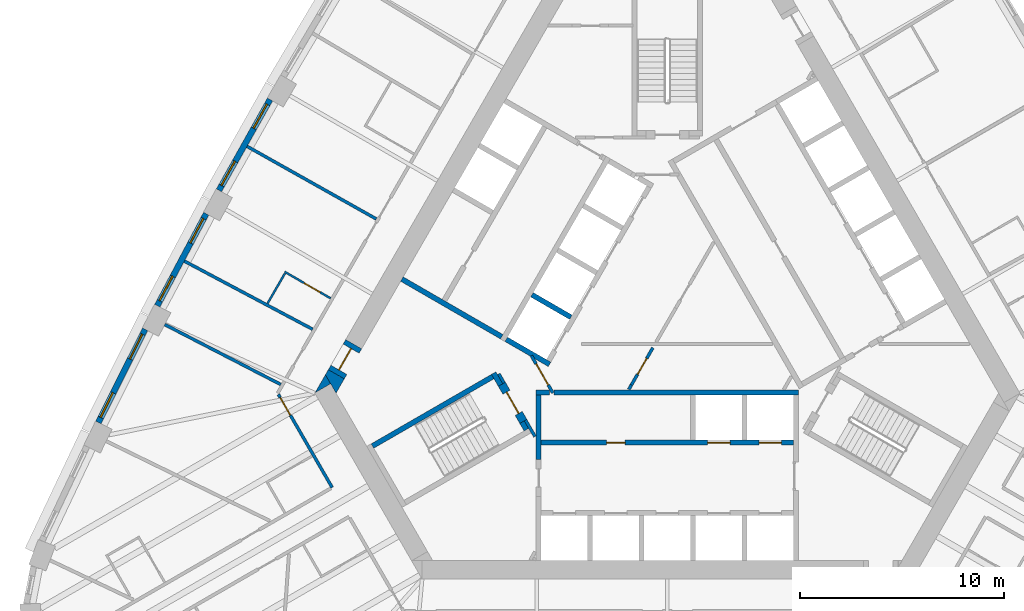
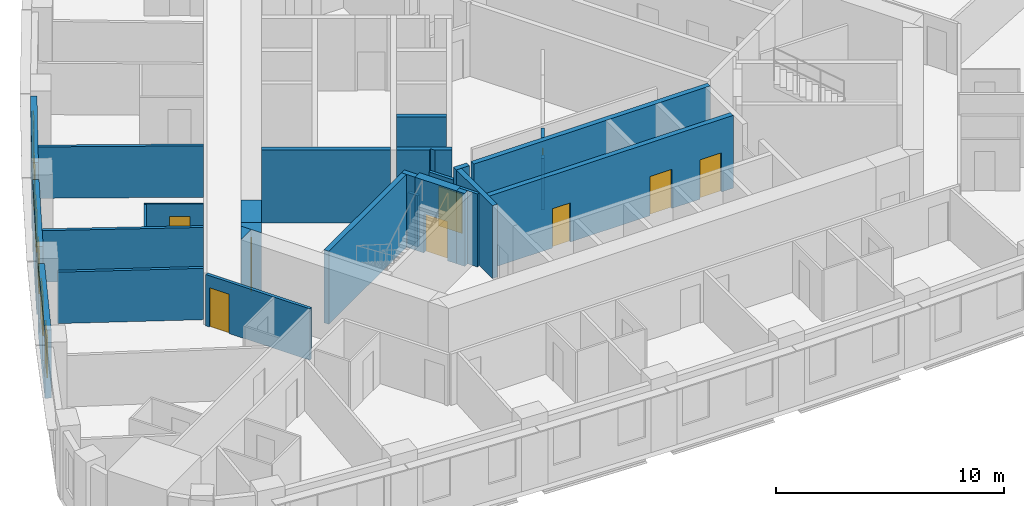
# One storey, part 5 of 13: 28 walls, 9 doors, 6 windows, 15 openings.
"""IFC4 building model written with IfcOpenShell, lengths in metres."""

import ifcopenshell
import ifcopenshell.guid

model = None  # the IFC model being written
_history = None  # IfcOwnerHistory: only IFC2X3 demands one
_inside = {}  # id of a spatial element -> (the spatial element, [elements in it])
_under = {}  # id of a project, library or spatial element -> (it, [spatial elements below it])
_declared = {}  # id of a project -> (the project, [libraries it declares])
_typed = {}  # id of a type object -> (the type object, [elements of that type])
_made_of = {}  # id of a material, layer set ... -> (it, [elements and type objects made of it])


def new_model(schema):
    """Start an empty IFC model of exactly this schema.

    Asked for "IFC4X3", IfcOpenShell would pick the latest addendum, in which some entities
    have other attributes; the version numbers below select the first issue.
    IFC2X3 requires an IfcOwnerHistory on every rooted entity: one is made here for all.
    """
    global model, _history
    if schema == "IFC4X3":
        model = ifcopenshell.file(schema_version=(4, 3, 0, 0))
    else:
        model = ifcopenshell.file(schema=schema)
    _inside.clear()
    _under.clear()
    _declared.clear()
    _typed.clear()
    _made_of.clear()
    _history = None
    if model.schema == "IFC2X3":
        org = make("IfcOrganization", Name="unknown")
        user = make(
            "IfcPersonAndOrganization",
            ThePerson=make("IfcPerson", FamilyName="unknown"),
            TheOrganization=org,
        )
        app = make(
            "IfcApplication",
            ApplicationDeveloper=org,
            Version="unknown",
            ApplicationFullName="unknown",
            ApplicationIdentifier="unknown",
        )
        _history = make(
            "IfcOwnerHistory",
            OwningUser=user,
            OwningApplication=app,
            ChangeAction="ADDED",
            CreationDate=0,
        )
    return model


def make(cls, **values):
    """One entity of the class cls with the attributes given. An attribute that is None is left unset."""
    return model.create_entity(
        cls, **{name: value for name, value in values.items() if value is not None}
    )


def rooted(cls, **values):
    """An entity with a GlobalId (a new one), such as an element, a storey or a relation."""
    return make(cls, GlobalId=ifcopenshell.guid.new(), OwnerHistory=_history, **values)


def si_unit(unit_type, name, prefix=None):
    """IfcSIUnit, for example si_unit("LENGTHUNIT", "METRE", prefix="MILLI")."""
    return make("IfcSIUnit", UnitType=unit_type, Prefix=prefix, Name=name)


def assignment(units):
    """IfcUnitAssignment: the units of a project."""
    return None if units is None else make("IfcUnitAssignment", Units=units)


def point(xyz):
    """IfcCartesianPoint."""
    return None if xyz is None else make("IfcCartesianPoint", Coordinates=xyz)


def direction(xyz):
    """IfcDirection."""
    return None if xyz is None else make("IfcDirection", DirectionRatios=xyz)


def frame(location, z_axis=None, x_axis=None):
    """IfcAxis2Placement3D, a coordinate frame: its origin and axes. An axis left out is left unset."""
    return make(
        "IfcAxis2Placement3D",
        Location=point(location),
        Axis=direction(z_axis),
        RefDirection=direction(x_axis),
    )


def frame_2d(location, x_axis=None):
    """IfcAxis2Placement2D, a coordinate frame in the plane: its origin and x axis."""
    return make(
        "IfcAxis2Placement2D", Location=point(location), RefDirection=direction(x_axis)
    )


def origin():
    """The frame at (0, 0, 0) with its axes left unset."""
    return frame((0.0, 0.0, 0.0))


def place(relative_to, where):
    """IfcLocalPlacement: puts the frame where relative to a parent placement (None: the world)."""
    return make(
        "IfcLocalPlacement", PlacementRelTo=relative_to, RelativePlacement=where
    )


def context(
    kind, dimensions, precision=None, world=None, true_north=None, identifier=None
):
    """IfcGeometricRepresentationContext, for example the 3D "Model" context."""
    return make(
        "IfcGeometricRepresentationContext",
        ContextIdentifier=identifier,
        ContextType=kind,
        CoordinateSpaceDimension=dimensions,
        Precision=precision,
        WorldCoordinateSystem=world,
        TrueNorth=true_north,
    )


def subcontext(parent, identifier, kind, view, scale=None):
    """IfcGeometricRepresentationSubContext, for example "Body" below "Model"."""
    return make(
        "IfcGeometricRepresentationSubContext",
        ContextIdentifier=identifier,
        ContextType=kind,
        ParentContext=parent,
        TargetScale=scale,
        TargetView=view,
    )


def project(units=None, contexts=None):
    """IfcProject with its units and contexts."""
    return rooted(
        "IfcProject",
        Name="project",
        RepresentationContexts=contexts,
        UnitsInContext=assignment(units),
    )


def spatial(cls, under=None, at=None, **own):
    """A site, building, storey or space (cls), placed at a placement, below another one or the project."""
    s = rooted(cls, ObjectPlacement=at, **own)
    if under is not None:
        _under.setdefault(under.id(), (under, []))[1].append(s)
    return s


def polyline(points):
    """IfcPolyline through the points."""
    return make("IfcPolyline", Points=[point(p) for p in points])


def profile(cls, at=None, kind="AREA", **sizes):
    """A parametric profile (cls). Its sizes go by their IFC names, for example OverallWidth=200.0."""
    return make(cls, ProfileType=kind, Position=at, **sizes)


def rectangle(**sizes):
    """IfcRectangleProfileDef."""
    return profile("IfcRectangleProfileDef", **sizes)


def outline(outer, holes=None, kind="AREA"):
    """IfcArbitraryClosedProfileDef: a profile drawn as a closed curve; with holes, ...WithVoids."""
    if holes is None:
        return make("IfcArbitraryClosedProfileDef", ProfileType=kind, OuterCurve=outer)
    return make(
        "IfcArbitraryProfileDefWithVoids",
        ProfileType=kind,
        OuterCurve=outer,
        InnerCurves=holes,
    )


def extrude(swept, where, along, depth):
    """IfcExtrudedAreaSolid: the profile swept, set in the frame where, extruded along a direction by depth."""
    return make(
        "IfcExtrudedAreaSolid",
        SweptArea=swept,
        Position=where,
        ExtrudedDirection=direction(along),
        Depth=depth,
    )


def shape(context_of_items, identifier, shape_type, items):
    """IfcShapeRepresentation: the items that make up one representation, for example the "Body"."""
    return make(
        "IfcShapeRepresentation",
        ContextOfItems=context_of_items,
        RepresentationIdentifier=identifier,
        RepresentationType=shape_type,
        Items=items,
    )


def material(Name=None, Category=None):
    """IfcMaterial."""
    return make("IfcMaterial", Name=Name, Category=Category)


def layer(
    of_material, thickness, ventilated=None, Name=None, Category=None, Priority=None
):
    """IfcMaterialLayer: one layer of a wall or slab, of a material (None: an air gap)."""
    return make(
        "IfcMaterialLayer",
        Material=of_material,
        LayerThickness=thickness,
        IsVentilated=ventilated,
        Name=Name,
        Category=Category,
        Priority=Priority,
    )


def layer_set(layers, Name=None):
    """IfcMaterialLayerSet."""
    return make("IfcMaterialLayerSet", MaterialLayers=layers, LayerSetName=Name)


def made_of(thing, what):
    """Note that an element or type object is made of a material, layer set ...; save() writes the relation."""
    if what is not None:
        _made_of.setdefault(what.id(), (what, []))[1].append(thing)
    return thing


def type_object(cls, material=None, **own):
    """A type object (cls), such as IfcWallType, which elements share."""
    return made_of(rooted(cls, **own), material)


def element(
    cls,
    number,
    at=None,
    inside=None,
    cuts=None,
    type_object=None,
    material=None,
    context=None,
    identifier="Body",
    shape_type=None,
    held_by="IfcProductDefinitionShape",
    body=None,
    shapes=None,
    **own,
):
    """One element of the class cls, such as IfcWall. Its Tag is "e" and its number.

    at: its placement. inside: the storey or other place that contains it. cuts: it is an
    opening in that element (IfcRelVoidsElement). A single representation is given by context,
    identifier, shape_type and body (its items); several are given by shapes. held_by: the class
    of the entity that holds the representations. save() writes the other relations.
    """
    e = rooted(cls, Tag="e%d" % number, ObjectPlacement=at, **own)
    if body is not None:
        shapes = [shape(context, identifier, shape_type, body)]
    if shapes is not None:
        e.Representation = make(held_by, Representations=shapes)
    if inside is not None:
        _inside.setdefault(inside.id(), (inside, []))[1].append(e)
    if cuts is not None:
        rooted(
            "IfcRelVoidsElement", RelatingBuildingElement=cuts, RelatedOpeningElement=e
        )
    if type_object is not None:
        _typed.setdefault(type_object.id(), (type_object, []))[1].append(e)
    return made_of(e, material)


def fill(opening, filler):
    """IfcRelFillsElement: the door or window that sits in an opening."""
    return rooted(
        "IfcRelFillsElement",
        RelatingOpeningElement=opening,
        RelatedBuildingElement=filler,
    )


def aggregate(whole, parts):
    """IfcRelAggregates: a whole, such as a stair, and the parts it consists of."""
    return rooted("IfcRelAggregates", RelatingObject=whole, RelatedObjects=parts)


def save(model, path):
    """Write the relations noted so far, then the file.

    IfcRelAggregates (storeys below a building ...), IfcRelContainedInSpatialStructure (elements
    in a storey), IfcRelDefinesByType, IfcRelAssociatesMaterial and IfcRelDeclares: one each for
    every whole, place, type object, material and project.
    """
    for whole, parts in _under.values():
        aggregate(whole, parts)
    for where, things in _inside.values():
        rooted(
            "IfcRelContainedInSpatialStructure",
            RelatedElements=things,
            RelatingStructure=where,
        )
    for kind, things in _typed.values():
        rooted("IfcRelDefinesByType", RelatedObjects=things, RelatingType=kind)
    for what, things in _made_of.values():
        rooted("IfcRelAssociatesMaterial", RelatedObjects=things, RelatingMaterial=what)
    for by, libraries in _declared.values():
        rooted("IfcRelDeclares", RelatingContext=by, RelatedDefinitions=libraries)
    model.write(path)


model = new_model("IFC4")

# Units and contexts
model_context = context("Model", 3, precision=1e-05, world=origin(), true_north=direction((0.0, 1.0)))
body_context = subcontext(model_context, "Body", "Model", "MODEL_VIEW")
ifc_project = project(units=[si_unit("LENGTHUNIT", "METRE"), si_unit("AREAUNIT", "SQUARE_METRE"), si_unit("VOLUMEUNIT", "CUBIC_METRE"), si_unit("PLANEANGLEUNIT", "RADIAN"), si_unit("MASSUNIT", "GRAM", prefix="KILO")], contexts=[model_context])

# Site, building, storey
site_placement = place(None, origin())
site = spatial("IfcSite", under=ifc_project, at=site_placement, CompositionType="ELEMENT")
building_placement = place(site_placement, origin())
building = spatial("IfcBuilding", under=site, at=building_placement, Name="Mestral Congress Tower", CompositionType="ELEMENT")
storey_placement = place(building_placement, frame((0.0, 0.0, 95.39990234375)))
storey = spatial("IfcBuildingStorey", under=building, at=storey_placement, Name="L22", CompositionType="ELEMENT", Elevation=95.39990234375)

# Walls
ifc_material_1 = material(Name="Fire-rated board partition")
ifc_layer_1 = layer(ifc_material_1, 0.14990234375)
ifc_layer_set_1 = layer_set([ifc_layer_1], Name="Fire-rated board partition")
wall_type_1 = type_object("IfcWallType", Name="Core partition 150", PredefinedType="PARTITIONING", material=ifc_layer_set_1)
wall_1_placement = place(storey_placement, frame((-1.886962890625, -3.71826171875, 0.0), z_axis=(0.0, 0.0, 1.0), x_axis=(0.500165633897, 0.865929753888, 0.0)))
element("IfcWall", 1, at=wall_1_placement, inside=storey, type_object=wall_type_1, Name="L22 core wall", PredefinedType="PARTITIONING", context=body_context, shape_type="SweptSolid", body=[
    extrude(rectangle(XDim=0.25439453125, YDim=0.14990234375, at=frame_2d((0.127197265625, 0.0))), origin(), (0.0, 0.0, 1.0), 2.75),
])
wall_2_placement = place(storey_placement, frame((-8.251953125, -2.958251953125, 0.0), z_axis=(0.0, 0.0, 1.0), x_axis=(0.500174715838, -0.865924508047, 0.0)))
element("IfcWall", 2, at=wall_2_placement, inside=storey, type_object=wall_type_1, Name="L22 core wall", PredefinedType="PARTITIONING", context=body_context, shape_type="SweptSolid", body=[
    extrude(rectangle(XDim=0.513916015625, YDim=0.14990234375, at=frame_2d((0.2568359375, 0.0))), origin(), (0.0, 0.0, 1.0), 2.75),
])

# Wall, opening, door
wall_3_placement = place(storey_placement, frame((-1.759765625, -3.498046875, 0.0), z_axis=(0.0, 0.0, 1.0), x_axis=(0.499977374825, 0.866038466041, 0.0)))
wall_3 = element("IfcWall", 3, at=wall_3_placement, inside=storey, type_object=wall_type_1, Name="L22 door wall", PredefinedType="PARTITIONING", context=body_context, shape_type="SweptSolid", body=[
    extrude(rectangle(XDim=2.10009765625, YDim=0.14990234375, at=frame_2d((1.050048828125, 0.0))), origin(), (0.0, 0.0, 1.0), 2.75),
])
opening_1_placement = place(wall_3_placement, frame((0.60009765625, 0.0, 0.0)))
opening_1 = element("IfcOpeningElement", 4, at=opening_1_placement, cuts=wall_3, Name="Opening CD1-HUB0", PredefinedType="OPENING", context=body_context, shape_type="SweptSolid", body=[
    extrude(rectangle(XDim=0.89990234375, YDim=2.10009765625, at=frame_2d((0.449951171875, 1.050048828125))), frame((0.0, 0.0849609375, 0.0), z_axis=(0.0, -1.0, 0.0), x_axis=(1.0, 0.0, 0.0)), (0.0, 0.0, 1.0), 0.169921875),
])
ifc_material_2 = material(Name="Fire-rated steel door set", Category="steel")
door_type_1 = type_object("IfcDoorType", Name="Core door CD 900x2100", OperationType="SINGLE_SWING_LEFT", PredefinedType="DOOR", material=ifc_material_2)
door_1_placement = place(opening_1_placement, origin())
door_1 = element("IfcDoor", 5, at=door_1_placement, inside=storey, type_object=door_type_1, Name="Door CD1-HUB0", OperationType="SINGLE_SWING_LEFT", OverallHeight=2.10009765625, OverallWidth=0.89990234375, PredefinedType="DOOR", context=body_context, shape_type="SweptSolid", body=[
    extrude(rectangle(XDim=0.89990234375, YDim=2.10009765625, at=frame_2d((0.449951171875, 1.050048828125))), frame((0.0, 0.02490234375, 0.0), z_axis=(0.0, -1.0, 0.0), x_axis=(1.0, 0.0, 0.0)), (0.0, 0.0, 1.0), 0.050048828125),
])
fill(opening_1, door_1)

wall_4_placement = place(storey_placement, frame((-5.606201171875, -3.8896484375, 0.0), z_axis=(0.0, 0.0, 1.0), x_axis=(-0.500027713859, 0.866009402589, 0.0)))
wall_4 = element("IfcWall", 6, at=wall_4_placement, inside=storey, type_object=wall_type_1, Name="L22 door wall", PredefinedType="PARTITIONING", context=body_context, shape_type="SweptSolid", body=[
    extrude(rectangle(XDim=2.10009765625, YDim=0.14990234375, at=frame_2d((1.050048828125, 0.0))), origin(), (0.0, 0.0, 1.0), 2.75),
])
opening_2_placement = place(wall_4_placement, frame((0.449951171875, 0.0, 0.0)))
opening_2 = element("IfcOpeningElement", 7, at=opening_2_placement, cuts=wall_4, Name="Opening CD3-FF", PredefinedType="OPENING", context=body_context, shape_type="SweptSolid", body=[
    extrude(rectangle(XDim=1.199951171875, YDim=2.10009765625, at=frame_2d((0.60009765625, 1.050048828125))), frame((0.0, 0.0849609375, 0.0), z_axis=(0.0, -1.0, 0.0), x_axis=(1.0, 0.0, 0.0)), (0.0, 0.0, 1.0), 0.169921875),
])
door_type_2 = type_object("IfcDoorType", Name="Core door CD 1200x2100", OperationType="SINGLE_SWING_LEFT", PredefinedType="DOOR", material=ifc_material_2)
door_2_placement = place(opening_2_placement, origin())
door_2 = element("IfcDoor", 8, at=door_2_placement, inside=storey, type_object=door_type_2, Name="Door CD3-FF", OperationType="SINGLE_SWING_LEFT", OverallHeight=2.10009765625, OverallWidth=1.199951171875, PredefinedType="DOOR", context=body_context, shape_type="SweptSolid", body=[
    extrude(rectangle(XDim=1.199951171875, YDim=2.10009765625, at=frame_2d((0.60009765625, 1.050048828125))), frame((0.0, 0.02490234375, 0.0), z_axis=(0.0, -1.0, 0.0), x_axis=(1.0, 0.0, 0.0)), (0.0, 0.0, 1.0), 0.050048828125),
])
fill(opening_2, door_2)

# Walls
ifc_material_3 = material(Name="Concrete C60/75", Category="concrete")
ifc_layer_2 = layer(ifc_material_3, 0.89990234375)
ifc_layer_set_2 = layer_set([ifc_layer_2], Name="Concrete C60/75")
wall_type_2 = type_object("IfcWallType", Name="Core wall RC 900", PredefinedType="SOLIDWALL", material=ifc_layer_set_2)
placement = place(storey_placement, origin())
element("IfcWall", 9, at=placement, inside=storey, type_object=wall_type_2, Name="L22 core wall", PredefinedType="SOLIDWALL", context=body_context, shape_type="SweptSolid", body=[
    extrude(outline(polyline([(-16.4892578125, -3.43994140625), (-17.251220703125, -3.8798828125), (-16.7431640625, -3.0), (-16.4892578125, -3.43994140625)])), origin(), (0.0, 0.0, 1.0), 3.900146484375),
])
element("IfcWall", 10, at=placement, inside=storey, type_object=wall_type_2, Name="L22 core wall", PredefinedType="SOLIDWALL", context=body_context, shape_type="SweptSolid", body=[
    extrude(outline(polyline([(-15.81982421875, -3.20068359375), (-16.223388671875, -3.89990234375), (-16.7431640625, -3.0), (-16.599365234375, -2.750732421875), (-15.81982421875, -3.20068359375)])), origin(), (0.0, 0.0, 1.0), 3.900146484375),
])

# Wall, opening, door
wall_7_placement = place(storey_placement, frame((-16.20947265625, -2.9755859375, 0.0), z_axis=(0.0, 0.0, 1.0), x_axis=(0.499954529098, 0.86605165483, 0.0)))
wall_7 = element("IfcWall", 11, at=wall_7_placement, inside=storey, type_object=wall_type_2, Name="L22 door wall", PredefinedType="SOLIDWALL", context=body_context, shape_type="SweptSolid", body=[
    extrude(rectangle(XDim=1.699951171875, YDim=0.89990234375, at=frame_2d((0.85009765625, 0.0))), origin(), (0.0, 0.0, 1.0), 3.900146484375),
])
opening_3_placement = place(wall_7_placement, frame((0.25, 0.0, 0.0)))
opening_3 = element("IfcOpeningElement", 12, at=opening_3_placement, cuts=wall_7, Name="Opening XD3", PredefinedType="OPENING", context=body_context, shape_type="SweptSolid", body=[
    extrude(rectangle(XDim=1.199951171875, YDim=2.10009765625, at=frame_2d((0.60009765625, 1.050048828125))), frame((0.0, 0.4599609375, 0.0), z_axis=(0.0, -1.0, 0.0), x_axis=(1.0, 0.0, 0.0)), (0.0, 0.0, 1.0), 0.919921875),
])
door_type_3 = type_object("IfcDoorType", Name="Core door XD 1200x2100", OperationType="SINGLE_SWING_LEFT", PredefinedType="DOOR", material=ifc_material_2)
door_3_placement = place(opening_3_placement, origin())
door_3 = element("IfcDoor", 13, at=door_3_placement, inside=storey, type_object=door_type_3, Name="Door XD3", OperationType="SINGLE_SWING_LEFT", OverallHeight=2.10009765625, OverallWidth=1.199951171875, PredefinedType="DOOR", context=body_context, shape_type="SweptSolid", body=[
    extrude(rectangle(XDim=1.199951171875, YDim=2.10009765625, at=frame_2d((0.60009765625, 1.050048828125))), frame((0.0, 0.02490234375, 0.0), z_axis=(0.0, -1.0, 0.0), x_axis=(1.0, 0.0, 0.0)), (0.0, 0.0, 1.0), 0.050048828125),
])
fill(opening_3, door_3)

# Wall, openings, windows
ifc_material_4 = material(Name="Precast concrete C40/50 with limestone facing", Category="masonry")
ifc_layer_3 = layer(ifc_material_4, 0.2900390625)
ifc_layer_set_3 = layer_set([ifc_layer_3], Name="Precast concrete C40/50 with limestone facing")
wall_type_3 = type_object("IfcWallType", Name="Facade stone wall 290", PredefinedType="SOLIDWALL", material=ifc_layer_set_3)
wall_8_placement = place(storey_placement, frame((-19.4580078125, 10.479736328125, 0.0), z_axis=(0.0, 0.0, 1.0), x_axis=(-0.48983164787, -0.87181704316, 0.0)))
wall_8 = element("IfcWall", 14, at=wall_8_placement, inside=storey, type_object=wall_type_3, Name="Facade wall F2-04", PredefinedType="SOLIDWALL", context=body_context, shape_type="SweptSolid", body=[
    extrude(rectangle(XDim=5.100341796875, YDim=0.2900390625, at=frame_2d((2.55029296875, 0.0))), origin(), (0.0, 0.0, 1.0), 3.650146484375),
])
opening_4_placement = place(wall_8_placement, frame((0.2724609375, 0.0, 0.89990234375)))
opening_4 = element("IfcOpeningElement", 15, at=opening_4_placement, cuts=wall_8, Name="Opening W2", PredefinedType="OPENING", context=body_context, shape_type="SweptSolid", body=[
    extrude(rectangle(XDim=1.35009765625, YDim=2.14990234375, at=frame_2d((0.675048828125, 1.074951171875))), frame((0.0, 0.155029296875, 0.0), z_axis=(0.0, -1.0, 0.0), x_axis=(1.0, 0.0, 0.0)), (0.0, 0.0, 1.0), 0.31005859375),
])
opening_5_placement = place(wall_8_placement, frame((3.477783203125, 0.0, 0.89990234375)))
opening_5 = element("IfcOpeningElement", 16, at=opening_5_placement, cuts=wall_8, Name="Opening W2", PredefinedType="OPENING", context=body_context, shape_type="SweptSolid", body=[
    extrude(rectangle(XDim=1.35009765625, YDim=2.14990234375, at=frame_2d((0.675048828125, 1.074951171875))), frame((0.0, 0.155029296875, 0.0), z_axis=(0.0, -1.0, 0.0), x_axis=(1.0, 0.0, 0.0)), (0.0, 0.0, 1.0), 0.31005859375),
])
ifc_material_5 = material(Name="Clear low-emissivity double glazing", Category="glass")
window_type = type_object("IfcWindowType", Name="Facade punched window 1350 x 2150 sill 900", PartitioningType="DOUBLE_PANEL_VERTICAL", PredefinedType="WINDOW", material=ifc_material_5)
window_1_placement = place(opening_4_placement, origin())
window_1 = element("IfcWindow", 17, at=window_1_placement, inside=storey, type_object=window_type, Name="Window F2-04a", OverallHeight=2.14990234375, OverallWidth=1.35009765625, PartitioningType="DOUBLE_PANEL_VERTICAL", PredefinedType="WINDOW", context=body_context, shape_type="SweptSolid", body=[
    extrude(rectangle(XDim=1.35009765625, YDim=2.14990234375, at=frame_2d((0.675048828125, 1.074951171875))), frame((0.0, 0.01513671875, 0.0), z_axis=(0.0, -1.0, 0.0), x_axis=(1.0, 0.0, 0.0)), (0.0, 0.0, 1.0), 0.06005859375),
])
fill(opening_4, window_1)
window_2_placement = place(opening_5_placement, origin())
window_2 = element("IfcWindow", 18, at=window_2_placement, inside=storey, type_object=window_type, Name="Window F2-04b", OverallHeight=2.14990234375, OverallWidth=1.35009765625, PartitioningType="DOUBLE_PANEL_VERTICAL", PredefinedType="WINDOW", context=body_context, shape_type="SweptSolid", body=[
    extrude(rectangle(XDim=1.35009765625, YDim=2.14990234375, at=frame_2d((0.675048828125, 1.074951171875))), frame((0.0, 0.01513671875, 0.0), z_axis=(0.0, -1.0, 0.0), x_axis=(1.0, 0.0, 0.0)), (0.0, 0.0, 1.0), 0.06005859375),
])
fill(opening_5, window_2)

wall_9_placement = place(storey_placement, frame((-22.5830078125, 4.88671875, 0.0), z_axis=(0.0, 0.0, 1.0), x_axis=(-0.469323203119, -0.883026461106, 0.0)))
wall_9 = element("IfcWall", 19, at=wall_9_placement, inside=storey, type_object=wall_type_3, Name="Facade wall F2-05", PredefinedType="SOLIDWALL", context=body_context, shape_type="SweptSolid", body=[
    extrude(rectangle(XDim=5.1005859375, YDim=0.2900390625, at=frame_2d((2.55029296875, 0.0))), origin(), (0.0, 0.0, 1.0), 3.650146484375),
])
opening_6_placement = place(wall_9_placement, frame((0.272705078125, 0.0, 0.89990234375)))
opening_6 = element("IfcOpeningElement", 20, at=opening_6_placement, cuts=wall_9, Name="Opening W2", PredefinedType="OPENING", context=body_context, shape_type="SweptSolid", body=[
    extrude(rectangle(XDim=1.35009765625, YDim=2.14990234375, at=frame_2d((0.675048828125, 1.074951171875))), frame((0.0, 0.155029296875, 0.0), z_axis=(0.0, -1.0, 0.0), x_axis=(1.0, 0.0, 0.0)), (0.0, 0.0, 1.0), 0.31005859375),
])
opening_7_placement = place(wall_9_placement, frame((3.477783203125, 0.0, 0.89990234375)))
opening_7 = element("IfcOpeningElement", 21, at=opening_7_placement, cuts=wall_9, Name="Opening W2", PredefinedType="OPENING", context=body_context, shape_type="SweptSolid", body=[
    extrude(rectangle(XDim=1.35009765625, YDim=2.14990234375, at=frame_2d((0.675048828125, 1.074951171875))), frame((0.0, 0.155029296875, 0.0), z_axis=(0.0, -1.0, 0.0), x_axis=(1.0, 0.0, 0.0)), (0.0, 0.0, 1.0), 0.31005859375),
])
window_3_placement = place(opening_6_placement, origin())
window_3 = element("IfcWindow", 22, at=window_3_placement, inside=storey, type_object=window_type, Name="Window F2-05a", OverallHeight=2.14990234375, OverallWidth=1.35009765625, PartitioningType="DOUBLE_PANEL_VERTICAL", PredefinedType="WINDOW", context=body_context, shape_type="SweptSolid", body=[
    extrude(rectangle(XDim=1.35009765625, YDim=2.14990234375, at=frame_2d((0.675048828125, 1.074951171875))), frame((0.0, 0.01513671875, 0.0), z_axis=(0.0, -1.0, 0.0), x_axis=(1.0, 0.0, 0.0)), (0.0, 0.0, 1.0), 0.06005859375),
])
fill(opening_6, window_3)
window_4_placement = place(opening_7_placement, origin())
window_4 = element("IfcWindow", 23, at=window_4_placement, inside=storey, type_object=window_type, Name="Window F2-05b", OverallHeight=2.14990234375, OverallWidth=1.35009765625, PartitioningType="DOUBLE_PANEL_VERTICAL", PredefinedType="WINDOW", context=body_context, shape_type="SweptSolid", body=[
    extrude(rectangle(XDim=1.35009765625, YDim=2.14990234375, at=frame_2d((0.675048828125, 1.074951171875))), frame((0.0, 0.01513671875, 0.0), z_axis=(0.0, -1.0, 0.0), x_axis=(1.0, 0.0, 0.0)), (0.0, 0.0, 1.0), 0.06005859375),
])
fill(opening_7, window_4)

wall_10_placement = place(storey_placement, frame((-25.576416015625, -0.77783203125, 0.0), z_axis=(0.0, 0.0, 1.0), x_axis=(-0.448534297211, -0.893765620409, 0.0)))
wall_10 = element("IfcWall", 24, at=wall_10_placement, inside=storey, type_object=wall_type_3, Name="Facade wall F2-06", PredefinedType="SOLIDWALL", context=body_context, shape_type="SweptSolid", body=[
    extrude(rectangle(XDim=5.10009765625, YDim=0.2900390625, at=frame_2d((2.550048828125, 0.0))), origin(), (0.0, 0.0, 1.0), 3.650146484375),
])
opening_8_placement = place(wall_10_placement, frame((0.2724609375, 0.0, 0.89990234375)))
opening_8 = element("IfcOpeningElement", 25, at=opening_8_placement, cuts=wall_10, Name="Opening W2", PredefinedType="OPENING", context=body_context, shape_type="SweptSolid", body=[
    extrude(rectangle(XDim=1.35009765625, YDim=2.14990234375, at=frame_2d((0.675048828125, 1.074951171875))), frame((0.0, 0.155029296875, 0.0), z_axis=(0.0, -1.0, 0.0), x_axis=(1.0, 0.0, 0.0)), (0.0, 0.0, 1.0), 0.31005859375),
])
opening_9_placement = place(wall_10_placement, frame((3.477783203125, 0.0, 0.89990234375)))
opening_9 = element("IfcOpeningElement", 26, at=opening_9_placement, cuts=wall_10, Name="Opening W2", PredefinedType="OPENING", context=body_context, shape_type="SweptSolid", body=[
    extrude(rectangle(XDim=1.35009765625, YDim=2.14990234375, at=frame_2d((0.675048828125, 1.074951171875))), frame((0.0, 0.155029296875, 0.0), z_axis=(0.0, -1.0, 0.0), x_axis=(1.0, 0.0, 0.0)), (0.0, 0.0, 1.0), 0.31005859375),
])
window_5_placement = place(opening_8_placement, origin())
window_5 = element("IfcWindow", 27, at=window_5_placement, inside=storey, type_object=window_type, Name="Window F2-06a", OverallHeight=2.14990234375, OverallWidth=1.35009765625, PartitioningType="DOUBLE_PANEL_VERTICAL", PredefinedType="WINDOW", context=body_context, shape_type="SweptSolid", body=[
    extrude(rectangle(XDim=1.35009765625, YDim=2.14990234375, at=frame_2d((0.675048828125, 1.074951171875))), frame((0.0, 0.01513671875, 0.0), z_axis=(0.0, -1.0, 0.0), x_axis=(1.0, 0.0, 0.0)), (0.0, 0.0, 1.0), 0.06005859375),
])
fill(opening_8, window_5)
window_6_placement = place(opening_9_placement, origin())
window_6 = element("IfcWindow", 28, at=window_6_placement, inside=storey, type_object=window_type, Name="Window F2-06b", OverallHeight=2.14990234375, OverallWidth=1.35009765625, PartitioningType="DOUBLE_PANEL_VERTICAL", PredefinedType="WINDOW", context=body_context, shape_type="SweptSolid", body=[
    extrude(rectangle(XDim=1.35009765625, YDim=2.14990234375, at=frame_2d((0.675048828125, 1.074951171875))), frame((0.0, 0.01513671875, 0.0), z_axis=(0.0, -1.0, 0.0), x_axis=(1.0, 0.0, 0.0)), (0.0, 0.0, 1.0), 0.06005859375),
])
fill(opening_9, window_6)

# Wall, opening, door
ifc_material_6 = material(Name="Gypsum board partition on metal studs with mineral wool", Category="composite")
ifc_layer_4 = layer(ifc_material_6, 0.10009765625)
ifc_layer_set_4 = layer_set([ifc_layer_4], Name="Gypsum board partition on metal studs with mineral wool")
wall_type_4 = type_object("IfcWallType", Name="Hotel partition wall 100", PredefinedType="PARTITIONING", material=ifc_layer_set_4)
wall_11_placement = place(storey_placement, frame((-16.4873046875, 0.742919921875, 0.0), z_axis=(0.0, 0.0, 1.0), x_axis=(-0.866021400173, 0.500006934395, 0.0)))
wall_11 = element("IfcWall", 29, at=wall_11_placement, inside=storey, type_object=wall_type_4, Name="L22-h-pod23a", PredefinedType="PARTITIONING", context=body_context, shape_type="SweptSolid", body=[
    extrude(rectangle(XDim=2.60009765625, YDim=0.10009765625, at=frame_2d((1.300048828125, 0.0))), origin(), (0.0, 0.0, 1.0), 2.75),
])
opening_10_placement = place(wall_11_placement, frame((0.60009765625, 0.0, 0.0)))
opening_10 = element("IfcOpeningElement", 30, at=opening_10_placement, cuts=wall_11, Name="Opening H07-044", PredefinedType="OPENING", context=body_context, shape_type="SweptSolid", body=[
    extrude(rectangle(XDim=0.89990234375, YDim=2.10009765625, at=frame_2d((0.449951171875, 1.050048828125))), frame((0.0, 0.06005859375, 0.0), z_axis=(0.0, -1.0, 0.0), x_axis=(1.0, 0.0, 0.0)), (0.0, 0.0, 1.0), 0.1201171875),
])
ifc_material_7 = material(Name="Timber veneer door leaf in timber frame", Category="wood")
door_type_4 = type_object("IfcDoorType", Name="Bathroom door 900", OperationType="SINGLE_SWING_LEFT", PredefinedType="DOOR", material=ifc_material_7)
door_4_placement = place(opening_10_placement, origin())
door_4 = element("IfcDoor", 31, at=door_4_placement, inside=storey, type_object=door_type_4, Name="L22-h-d044", OperationType="SINGLE_SWING_LEFT", OverallHeight=2.10009765625, OverallWidth=0.89990234375, PredefinedType="DOOR", context=body_context, shape_type="SweptSolid", body=[
    extrude(rectangle(XDim=0.89990234375, YDim=2.10009765625, at=frame_2d((0.449951171875, 1.050048828125))), frame((0.0, 0.02490234375, 0.0), z_axis=(0.0, -1.0, 0.0), x_axis=(1.0, 0.0, 0.0)), (0.0, 0.0, 1.0), 0.050048828125),
])
fill(opening_10, door_4)

# Wall
wall_12_placement = place(storey_placement, frame((-18.725830078125, 1.966064453125, 0.0), z_axis=(0.0, 0.0, 1.0), x_axis=(-0.499954529098, -0.86605165483, 0.0)))
element("IfcWall", 32, at=wall_12_placement, inside=storey, type_object=wall_type_4, Name="L22-h-pod23b", PredefinedType="PARTITIONING", context=body_context, shape_type="SweptSolid", body=[
    extrude(rectangle(XDim=1.699951171875, YDim=0.10009765625, at=frame_2d((0.85009765625, 0.0))), origin(), (0.0, 0.0, 1.0), 2.75),
])

# Wall, opening, door
ifc_layer_5 = layer(ifc_material_6, 0.14990234375)
ifc_layer_set_5 = layer_set([ifc_layer_5], Name="Gypsum board partition on metal studs with mineral wool")
wall_type_5 = type_object("IfcWallType", Name="Hotel partition wall 150", PredefinedType="PARTITIONING", material=ifc_layer_set_5)
wall_13_placement = place(storey_placement, frame((-16.412353515625, -8.52294921875, 0.0), z_axis=(0.0, 0.0, 1.0), x_axis=(-0.500001929737, 0.866024289647, 0.0)))
wall_13 = element("IfcWall", 33, at=wall_13_placement, inside=storey, type_object=wall_type_5, Name="L22-h-cw09", PredefinedType="PARTITIONING", context=body_context, shape_type="SweptSolid", body=[
    extrude(rectangle(XDim=5.26806640625, YDim=0.14990234375, at=frame_2d((2.634033203125, 0.0))), origin(), (0.0, 0.0, 1.0), 2.75),
])
opening_11_placement = place(wall_13_placement, frame((4.088134765625, 0.0, 0.0)))
opening_11 = element("IfcOpeningElement", 34, at=opening_11_placement, cuts=wall_13, Name="Opening H07-046", PredefinedType="OPENING", context=body_context, shape_type="SweptSolid", body=[
    extrude(rectangle(XDim=1.0, YDim=2.10009765625, at=frame_2d((0.5, 1.050048828125))), frame((0.0, 0.0849609375, 0.0), z_axis=(0.0, -1.0, 0.0), x_axis=(1.0, 0.0, 0.0)), (0.0, 0.0, 1.0), 0.169921875),
])
ifc_material_8 = material(Name="Timber veneer door leaf in metal frame", Category="wood")
door_type_5 = type_object("IfcDoorType", Name="Guest room entrance door 1000", OperationType="SINGLE_SWING_LEFT", PredefinedType="DOOR", material=ifc_material_8)
door_5_placement = place(opening_11_placement, origin())
door_5 = element("IfcDoor", 35, at=door_5_placement, inside=storey, type_object=door_type_5, Name="L22-h-d046", OperationType="SINGLE_SWING_RIGHT", OverallHeight=2.10009765625, OverallWidth=1.0, PredefinedType="DOOR", context=body_context, shape_type="SweptSolid", body=[
    extrude(rectangle(XDim=1.0, YDim=2.10009765625, at=frame_2d((0.5, 1.050048828125))), frame((0.0, 0.02490234375, 0.0), z_axis=(0.0, -1.0, 0.0), x_axis=(1.0, 0.0, 0.0)), (0.0, 0.0, 1.0), 0.050048828125),
])
fill(opening_11, door_5)

# Walls
wall_14_placement = place(storey_placement, frame((-24.612548828125, -0.54052734375, 0.0), z_axis=(0.0, 0.0, 1.0), x_axis=(0.888459912519, -0.458954228487, 0.0)))
element("IfcWall", 36, at=wall_14_placement, inside=storey, type_object=wall_type_5, Name="L22-h-pw04", PredefinedType="PARTITIONING", context=body_context, shape_type="SweptSolid", body=[
    extrude(rectangle(XDim=6.391845703125, YDim=0.14990234375, at=frame_2d((3.19580078125, 0.0))), origin(), (0.0, 0.0, 1.0), 2.75),
])
wall_15_placement = place(storey_placement, frame((-23.65185546875, 2.56689453125, 0.0), z_axis=(0.0, 0.0, 1.0), x_axis=(0.883019237957, -0.469336793144, 0.0)))
element("IfcWall", 37, at=wall_15_placement, inside=storey, type_object=wall_type_5, Name="L22-h-pw06", PredefinedType="PARTITIONING", context=body_context, shape_type="SweptSolid", body=[
    extrude(rectangle(XDim=7.11083984375, YDim=0.14990234375, at=frame_2d((3.555419921875, 0.0))), origin(), (0.0, 0.0, 1.0), 2.75),
])
wall_16_placement = place(storey_placement, frame((-20.580810546875, 8.185302734375, 0.0), z_axis=(0.0, 0.0, 1.0), x_axis=(0.871820720803, -0.489825102233, 0.0)))
element("IfcWall", 38, at=wall_16_placement, inside=storey, type_object=wall_type_5, Name="L22-h-pw07", PredefinedType="PARTITIONING", context=body_context, shape_type="SweptSolid", body=[
    extrude(rectangle(XDim=7.256591796875, YDim=0.14990234375, at=frame_2d((3.62841796875, 0.0))), origin(), (0.0, 0.0, 1.0), 2.75),
])
ifc_layer_6 = layer(ifc_material_3, 0.25)
ifc_layer_set_6 = layer_set([ifc_layer_6], Name="Concrete C60/75")
wall_type_6 = type_object("IfcWallType", Name="Shaft wall RC 250", PredefinedType="SOLIDWALL", material=ifc_layer_set_6)
wall_17_placement = place(storey_placement, frame((-5.544921875, -3.875, 0.0), z_axis=(0.0, 0.0, 1.0), x_axis=(1.0, 0.0, 0.0)))
element("IfcWall", 39, at=wall_17_placement, inside=storey, type_object=wall_type_6, Name="L22 core wall", PredefinedType="SOLIDWALL", context=body_context, shape_type="SweptSolid", body=[
    extrude(rectangle(XDim=11.969970703125, YDim=0.25, at=frame_2d((5.98486328125, 0.0))), origin(), (0.0, 0.0, 1.0), 3.900146484375),
])
wall_18_placement = place(storey_placement, frame((-6.425048828125, -3.875, 0.0), z_axis=(0.0, 0.0, 1.0), x_axis=(1.0, 0.0, 0.0)))
element("IfcWall", 40, at=wall_18_placement, inside=storey, type_object=wall_type_6, Name="L22 core wall", PredefinedType="SOLIDWALL", context=body_context, shape_type="SweptSolid", body=[
    extrude(rectangle(XDim=0.657958984375, YDim=0.25, at=frame_2d((0.3291015625, 0.0))), origin(), (0.0, 0.0, 1.0), 3.900146484375),
])
wall_19_placement = place(storey_placement, frame((-6.300048828125, -4.0, 0.0), z_axis=(0.0, 0.0, 1.0), x_axis=(0.0, -1.0, 0.0)))
element("IfcWall", 41, at=wall_19_placement, inside=storey, type_object=wall_type_6, Name="L22 core wall", PredefinedType="SOLIDWALL", context=body_context, shape_type="SweptSolid", body=[
    extrude(rectangle(XDim=3.154296875, YDim=0.25, at=frame_2d((1.5771484375, 0.0))), origin(), (0.0, 0.0, 1.0), 3.900146484375),
])
wall_20_placement = place(storey_placement, frame((-4.72412109375, -0.182373046875, 0.0), z_axis=(0.0, 0.0, 1.0), x_axis=(-0.866008176907, 0.50002983664, 0.0)))
element("IfcWall", 42, at=wall_20_placement, inside=storey, type_object=wall_type_6, Name="L22 core wall", PredefinedType="SOLIDWALL", context=body_context, shape_type="SweptSolid", body=[
    extrude(rectangle(XDim=2.199951171875, YDim=0.25, at=frame_2d((1.10009765625, 0.0))), origin(), (0.0, 0.0, 1.0), 3.900146484375),
])
element("IfcWall", 43, at=placement, inside=storey, type_object=wall_type_6, Name="L22 core wall", PredefinedType="SOLIDWALL", context=body_context, shape_type="SweptSolid", body=[
    extrude(outline(polyline([(-5.921630859375, -2.256591796875), (-5.921630859375, -2.256591796875), (-5.705078125, -2.381591796875), (-5.830078125, -2.597900390625), (-6.48291015625, -2.22119140625), (-6.59130859375, -2.033447265625), (-6.59130859375, -2.033447265625), (-6.69970703125, -2.095947265625), (-7.951904296875, -1.373046875), (-7.826904296875, -1.156494140625), (-5.921630859375, -2.256591796875)])), origin(), (0.0, 0.0, 1.0), 3.900146484375),
])
wall_22_placement = place(storey_placement, frame((-8.10595703125, -1.139892578125, 0.0), z_axis=(0.0, 0.0, 1.0), x_axis=(-0.866000643155, 0.500042884217, 0.0)))
element("IfcWall", 44, at=wall_22_placement, inside=storey, type_object=wall_type_6, Name="L22 core wall", PredefinedType="SOLIDWALL", context=body_context, shape_type="SweptSolid", body=[
    extrude(rectangle(XDim=5.64990234375, YDim=0.25, at=frame_2d((2.824951171875, 0.0))), origin(), (0.0, 0.0, 1.0), 3.900146484375),
])

# Wall, openings, doors
wall_23_placement = place(storey_placement, frame((-6.175048828125, -6.324951171875, 0.0), z_axis=(0.0, 0.0, 1.0), x_axis=(1.0, 0.0, 0.0)))
wall_23 = element("IfcWall", 45, at=wall_23_placement, inside=storey, type_object=wall_type_6, Name="L22 door wall", PredefinedType="SOLIDWALL", context=body_context, shape_type="SweptSolid", body=[
    extrude(rectangle(XDim=12.35009765625, YDim=0.25, at=frame_2d((6.175048828125, 0.0))), origin(), (0.0, 0.0, 1.0), 3.900146484375),
])
opening_12_placement = place(wall_23_placement, frame((3.205078125, 0.0, 0.0)))
opening_12 = element("IfcOpeningElement", 46, at=opening_12_placement, cuts=wall_23, Name="Opening SR-SOB1", PredefinedType="OPENING", context=body_context, shape_type="SweptSolid", body=[
    extrude(rectangle(XDim=0.89990234375, YDim=2.10009765625, at=frame_2d((0.449951171875, 1.050048828125))), frame((0.0, 0.135009765625, 0.0), z_axis=(0.0, -1.0, 0.0), x_axis=(1.0, 0.0, 0.0)), (0.0, 0.0, 1.0), 0.27001953125),
])
opening_13_placement = place(wall_23_placement, frame((8.14501953125, 0.0, 0.0)))
opening_13 = element("IfcOpeningElement", 47, at=opening_13_placement, cuts=wall_23, Name="Opening LD-SOB4", PredefinedType="OPENING", context=body_context, shape_type="SweptSolid", body=[
    extrude(rectangle(XDim=1.10009765625, YDim=2.10009765625, at=frame_2d((0.550048828125, 1.050048828125))), frame((0.0, 0.135009765625, 0.0), z_axis=(0.0, -1.0, 0.0), x_axis=(1.0, 0.0, 0.0)), (0.0, 0.0, 1.0), 0.27001953125),
])
opening_14_placement = place(wall_23_placement, frame((10.6650390625, 0.0, 0.0)))
opening_14 = element("IfcOpeningElement", 48, at=opening_14_placement, cuts=wall_23, Name="Opening LD-SOB5", PredefinedType="OPENING", context=body_context, shape_type="SweptSolid", body=[
    extrude(rectangle(XDim=1.10009765625, YDim=2.10009765625, at=frame_2d((0.550048828125, 1.050048828125))), frame((0.0, 0.135009765625, 0.0), z_axis=(0.0, -1.0, 0.0), x_axis=(1.0, 0.0, 0.0)), (0.0, 0.0, 1.0), 0.27001953125),
])
door_type_6 = type_object("IfcDoorType", Name="Core door LD 1100x2100", OperationType="DOUBLE_DOOR_SLIDING", PredefinedType="DOOR", material=ifc_material_2)
door_6_placement = place(opening_13_placement, origin())
door_6 = element("IfcDoor", 49, at=door_6_placement, inside=storey, type_object=door_type_6, Name="Door LD-SOB4", OperationType="DOUBLE_DOOR_SLIDING", OverallHeight=2.10009765625, OverallWidth=1.10009765625, PredefinedType="DOOR", context=body_context, shape_type="SweptSolid", body=[
    extrude(rectangle(XDim=1.10009765625, YDim=2.10009765625, at=frame_2d((0.550048828125, 1.050048828125))), frame((0.0, 0.02490234375, 0.0), z_axis=(0.0, -1.0, 0.0), x_axis=(1.0, 0.0, 0.0)), (0.0, 0.0, 1.0), 0.050048828125),
])
fill(opening_13, door_6)
door_7_placement = place(opening_14_placement, origin())
door_7 = element("IfcDoor", 50, at=door_7_placement, inside=storey, type_object=door_type_6, Name="Door LD-SOB5", OperationType="DOUBLE_DOOR_SLIDING", OverallHeight=2.10009765625, OverallWidth=1.10009765625, PredefinedType="DOOR", context=body_context, shape_type="SweptSolid", body=[
    extrude(rectangle(XDim=1.10009765625, YDim=2.10009765625, at=frame_2d((0.550048828125, 1.050048828125))), frame((0.0, 0.02490234375, 0.0), z_axis=(0.0, -1.0, 0.0), x_axis=(1.0, 0.0, 0.0)), (0.0, 0.0, 1.0), 0.050048828125),
])
fill(opening_14, door_7)
door_type_7 = type_object("IfcDoorType", Name="Core door SR 900x2100", OperationType="SINGLE_SWING_LEFT", PredefinedType="DOOR", material=ifc_material_2)
door_8_placement = place(opening_12_placement, origin())
door_8 = element("IfcDoor", 51, at=door_8_placement, inside=storey, type_object=door_type_7, Name="Door SR-SOB1", OperationType="SINGLE_SWING_LEFT", OverallHeight=2.10009765625, OverallWidth=0.89990234375, PredefinedType="DOOR", context=body_context, shape_type="SweptSolid", body=[
    extrude(rectangle(XDim=0.89990234375, YDim=2.10009765625, at=frame_2d((0.449951171875, 1.050048828125))), frame((0.0, 0.02490234375, 0.0), z_axis=(0.0, -1.0, 0.0), x_axis=(1.0, 0.0, 0.0)), (0.0, 0.0, 1.0), 0.050048828125),
])
fill(opening_12, door_8)

# Walls
ifc_layer_7 = layer(ifc_material_3, 0.14990234375)
ifc_layer_set_7 = layer_set([ifc_layer_7], Name="Concrete C60/75")
wall_type_7 = type_object("IfcWallType", Name="Shaft wall RC 250 door-wall 150", PredefinedType="SOLIDWALL", material=ifc_layer_set_7)
wall_24_placement = place(storey_placement, frame((-6.48046875, -6.026611328125, 0.0), z_axis=(0.0, 0.0, 1.0), x_axis=(-0.499927229454, 0.866067413802, 0.0)))
element("IfcWall", 52, at=wall_24_placement, inside=storey, type_object=wall_type_7, Name="L22 core wall", PredefinedType="PARTITIONING", context=body_context, shape_type="SweptSolid", body=[
    extrude(rectangle(XDim=0.928955078125, YDim=0.14990234375, at=frame_2d((0.46435546875, 0.0))), origin(), (0.0, 0.0, 1.0), 3.900146484375),
])
ifc_layer_8 = layer(ifc_material_3, 0.25)
ifc_layer_set_8 = layer_set([ifc_layer_8], Name="Concrete C60/75")
wall_type_8 = type_object("IfcWallType", Name="Stair wall RC 250", PredefinedType="SOLIDWALL", material=ifc_layer_set_8)
wall_25_placement = place(storey_placement, frame((-14.43994140625, -6.489501953125, 0.0), z_axis=(0.0, 0.0, 1.0), x_axis=(0.866022966069, 0.500004222222, 0.0)))
element("IfcWall", 53, at=wall_25_placement, inside=storey, type_object=wall_type_8, Name="L22 core wall", PredefinedType="SOLIDWALL", context=body_context, shape_type="SweptSolid", body=[
    extrude(rectangle(XDim=6.80029296875, YDim=0.25, at=frame_2d((3.400146484375, 0.0))), origin(), (0.0, 0.0, 1.0), 3.900146484375),
])
wall_26_placement = place(storey_placement, frame((-8.167724609375, -3.503173828125, 0.0), z_axis=(0.0, 0.0, 1.0), x_axis=(-0.499952099219, 0.866053057547, 0.0)))
element("IfcWall", 54, at=wall_26_placement, inside=storey, type_object=wall_type_8, Name="L22 core wall", PredefinedType="SOLIDWALL", context=body_context, shape_type="SweptSolid", body=[
    extrude(rectangle(XDim=0.6748046875, YDim=0.25, at=frame_2d((0.33740234375, 0.0))), origin(), (0.0, 0.0, 1.0), 3.900146484375),
])
wall_27_placement = place(storey_placement, frame((-6.905029296875, -5.68994140625, 0.0), z_axis=(0.0, 0.0, 1.0), x_axis=(-0.500402024738, 0.865793170242, 0.0)))
element("IfcWall", 55, at=wall_27_placement, inside=storey, type_object=wall_type_8, Name="L22 core wall", PredefinedType="SOLIDWALL", context=body_context, shape_type="SweptSolid", body=[
    extrude(rectangle(XDim=0.425048828125, YDim=0.25, at=frame_2d((0.21240234375, 0.0))), origin(), (0.0, 0.0, 1.0), 3.900146484375),
])

# Wall, opening, door
ifc_layer_9 = layer(ifc_material_3, 0.39990234375)
ifc_layer_set_9 = layer_set([ifc_layer_9], Name="Concrete C60/75")
wall_type_9 = type_object("IfcWallType", Name="Stair wall RC 250 door-wall 400", PredefinedType="SOLIDWALL", material=ifc_layer_set_9)
wall_28_placement = place(storey_placement, frame((-8.102783203125, -3.4658203125, 0.0), z_axis=(0.0, 0.0, 1.0), x_axis=(0.500078061341, -0.865980330357, 0.0)))
wall_28 = element("IfcWall", 56, at=wall_28_placement, inside=storey, type_object=wall_type_9, Name="L22 door wall", PredefinedType="SOLIDWALL", context=body_context, shape_type="SweptSolid", body=[
    extrude(rectangle(XDim=2.099853515625, YDim=0.39990234375, at=frame_2d((1.0498046875, 0.0))), origin(), (0.0, 0.0, 1.0), 3.900146484375),
])
opening_15_placement = place(wall_28_placement, frame((0.449951171875, 0.0, 0.0)))
opening_15 = element("IfcOpeningElement", 57, at=opening_15_placement, cuts=wall_28, Name="Opening ST-D3", PredefinedType="OPENING", context=body_context, shape_type="SweptSolid", body=[
    extrude(rectangle(XDim=1.199951171875, YDim=2.10009765625, at=frame_2d((0.60009765625, 1.050048828125))), frame((0.0, 0.2099609375, 0.0), z_axis=(0.0, -1.0, 0.0), x_axis=(1.0, 0.0, 0.0)), (0.0, 0.0, 1.0), 0.419921875),
])
door_type_8 = type_object("IfcDoorType", Name="Core door ST 1200x2100", OperationType="SINGLE_SWING_LEFT", PredefinedType="DOOR", material=ifc_material_2)
door_9_placement = place(opening_15_placement, origin())
door_9 = element("IfcDoor", 58, at=door_9_placement, inside=storey, type_object=door_type_8, Name="Door ST-D3", OperationType="SINGLE_SWING_LEFT", OverallHeight=2.10009765625, OverallWidth=1.199951171875, PredefinedType="DOOR", context=body_context, shape_type="SweptSolid", body=[
    extrude(rectangle(XDim=1.199951171875, YDim=2.10009765625, at=frame_2d((0.60009765625, 1.050048828125))), frame((0.0, 0.02490234375, 0.0), z_axis=(0.0, -1.0, 0.0), x_axis=(1.0, 0.0, 0.0)), (0.0, 0.0, 1.0), 0.050048828125),
])
fill(opening_15, door_9)

save(model, "model.ifc")
